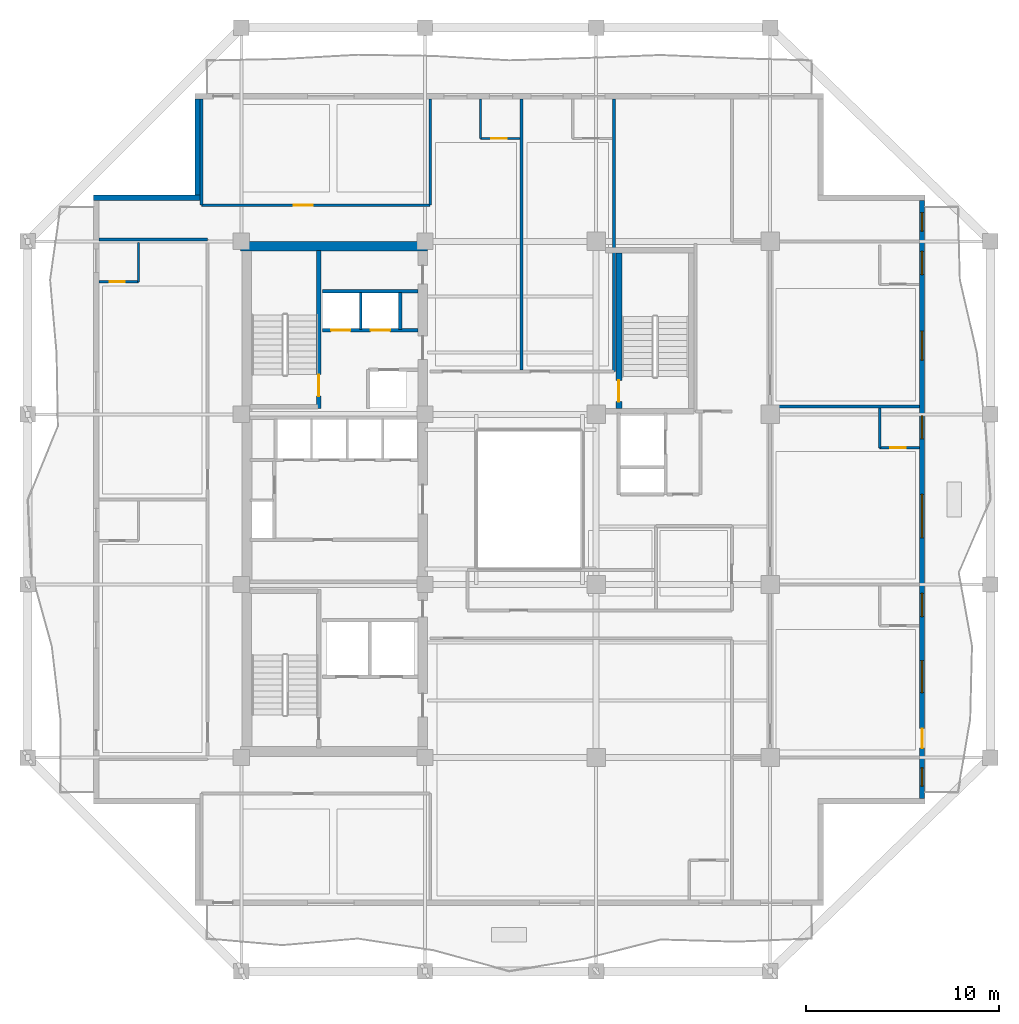
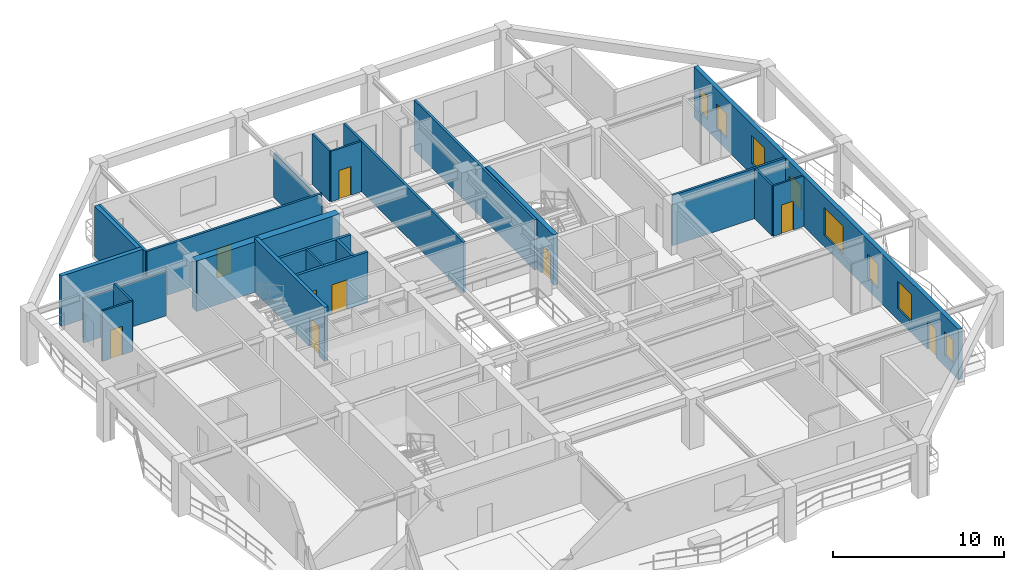
# One storey, part 5 of 12: 23 walls, 9 doors, 8 windows, 17 openings.
"""IFC4 building model written with IfcOpenShell, lengths in metres."""

from ifc_helpers import new_model, si_unit, direction, frame, frame_2d, origin, place, context, subcontext, project, spatial, rectangle, extrude, material, layer, layer_set, type_object, element, fill, save


model = new_model("IFC4")

# Units and contexts
model_context = context("Model", 3, precision=1e-05, world=origin(), true_north=direction((0.0, 1.0)))
body_context = subcontext(model_context, "Body", "Model", "MODEL_VIEW")
ifc_project = project(units=[si_unit("LENGTHUNIT", "METRE"), si_unit("AREAUNIT", "SQUARE_METRE"), si_unit("VOLUMEUNIT", "CUBIC_METRE"), si_unit("PLANEANGLEUNIT", "RADIAN"), si_unit("MASSUNIT", "GRAM", prefix="KILO")], contexts=[model_context])

# Site, building, storey
site_placement = place(None, origin())
site = spatial("IfcSite", under=ifc_project, at=site_placement, CompositionType="ELEMENT")
building_placement = place(site_placement, origin())
building = spatial("IfcBuilding", under=site, at=building_placement, Name="Kundavana Baori Tower", CompositionType="ELEMENT")
storey_placement = place(building_placement, frame((0.0, 0.0, 196.39990234375)))
storey = spatial("IfcBuildingStorey", under=building, at=storey_placement, Name="L48", CompositionType="ELEMENT", Elevation=196.39990234375)

# Wall, opening, door
ifc_material_1 = material(Name="Concrete C50/60", Category="concrete")
ifc_layer_1 = layer(ifc_material_1, 0.39990234375, Name="WL-CORE-400")
ifc_layer_set_1 = layer_set([ifc_layer_1], Name="Concrete C50/60")
wall_type_1 = type_object("IfcWallType", Name="WL-CORE-400", PredefinedType="SHEAR", material=ifc_layer_set_1)
wall_1_placement = place(storey_placement, frame((19.4599609375, 33.300048828125, 0.0), z_axis=(0.0, 0.0, 1.0), x_axis=(0.0, 1.0, 0.0)))
wall_1 = element("IfcWall", 1, at=wall_1_placement, inside=storey, type_object=wall_type_1, Name="WL-L48-ST2-E", PredefinedType="SHEAR", context=body_context, shape_type="SweptSolid", body=[
    extrude(rectangle(XDim=8.179931640625, YDim=0.239990234375, at=frame_2d((4.08984375, 0.0))), origin(), (0.0, 0.0, 1.0), 3.85009765625),
])
opening_1_placement = place(wall_1_placement, frame((0.64990234375, 0.0, 0.0)))
opening_1 = element("IfcOpeningElement", 2, at=opening_1_placement, cuts=wall_1, Name="Opening FD-110", PredefinedType="OPENING", context=body_context, shape_type="SweptSolid", body=[
    extrude(rectangle(XDim=1.10009765625, YDim=2.10009765625, at=frame_2d((0.550048828125, 1.050048828125))), frame((0.0, 0.1298828125, 0.0), z_axis=(0.0, -1.0, 0.0), x_axis=(1.0, 0.0, 0.0)), (0.0, 0.0, 1.0), 0.260009765625),
])
ifc_material_2 = material(Name="Galvanised Steel Fire-Rated Door Leaf", Category="steel")
door_type_1 = type_object("IfcDoorType", Name="DR-FD120-1100", OperationType="NOTDEFINED", PredefinedType="DOOR", material=ifc_material_2)
door_1_placement = place(opening_1_placement, origin())
door_1 = element("IfcDoor", 3, at=door_1_placement, inside=storey, type_object=door_type_1, Name="DR-L48-ST2", OperationType="SINGLE_SWING_RIGHT", OverallHeight=2.10009765625, OverallWidth=1.10009765625, PredefinedType="DOOR", context=body_context, shape_type="SweptSolid", body=[
    extrude(rectangle(XDim=1.10009765625, YDim=2.10009765625, at=frame_2d((0.550048828125, 1.050048828125))), frame((0.0, 0.02490234375, 0.0), z_axis=(0.0, -1.0, 0.0), x_axis=(1.0, 0.0, 0.0)), (0.0, 0.0, 1.0), 0.050048828125),
])
fill(opening_1, door_1)

# Wall
ifc_material_3 = material(Name="Concrete C50/60", Category="concrete")
ifc_layer_2 = layer(ifc_material_3, 0.5, Name="WL-CORE-500")
ifc_layer_set_2 = layer_set([ifc_layer_2], Name="Concrete C50/60")
wall_type_2 = type_object("IfcWallType", Name="WL-CORE-500", PredefinedType="SHEAR", material=ifc_layer_set_2)
wall_2_placement = place(storey_placement, frame((15.39990234375, 41.68994140625, 0.0), z_axis=(0.0, 0.0, 1.0), x_axis=(1.0, 0.0, 0.0)))
element("IfcWall", 4, at=wall_2_placement, inside=storey, type_object=wall_type_2, Name="L48 Offset Core North Shear Wall", PredefinedType="SHEAR", context=body_context, shape_type="SweptSolid", body=[
    extrude(rectangle(XDim=9.68017578125, YDim=0.5, at=frame_2d((4.840087890625, 0.0))), origin(), (0.0, 0.0, 1.0), 3.60009765625),
])

# Wall, openings, door, windows
ifc_material_4 = material(Name="Red-Buff Dholpur Sandstone Cladding on Concrete C40/50", Category="masonry")
ifc_layer_3 = layer(ifc_material_4, 0.280029296875, Name="WL-EXT-SAND-280")
ifc_layer_set_3 = layer_set([ifc_layer_3], Name="Red-Buff Dholpur Sandstone Cladding on Concrete C40/50")
wall_type_3 = type_object("IfcWallType", Name="WL-EXT-SAND-280", PredefinedType="STANDARD", material=ifc_layer_set_3)
wall_3_placement = place(storey_placement, frame((50.659912109375, 13.1298828125, 0.0), z_axis=(0.0, 0.0, 1.0), x_axis=(0.0, 1.0, 0.0)))
wall_3 = element("IfcWall", 5, at=wall_3_placement, inside=storey, type_object=wall_type_3, Name="L48 Exterior Insulated Facade Wall 04", PredefinedType="STANDARD", context=body_context, shape_type="SweptSolid", body=[
    extrude(rectangle(XDim=30.940185546875, YDim=0.280029296875, at=frame_2d((15.47021484375, 0.0))), origin(), (0.0, 0.0, 1.0), 3.60009765625),
])
opening_2_placement = place(wall_3_placement, frame((0.639892578125, 0.0, 0.800048828125)))
opening_2 = element("IfcOpeningElement", 6, at=opening_2_placement, cuts=wall_3, Name="Opening W-13", PredefinedType="OPENING", context=body_context, shape_type="SweptSolid", body=[
    extrude(rectangle(XDim=0.949951171875, YDim=1.64990234375, at=frame_2d((0.47509765625, 0.824951171875))), frame((0.0, 0.14990234375, 0.0), z_axis=(0.0, -1.0, 0.0), x_axis=(1.0, 0.0, 0.0)), (0.0, 0.0, 1.0), 0.300048828125),
])
opening_3_placement = place(wall_3_placement, frame((2.610107421875, 0.0, 0.0)))
opening_3 = element("IfcOpeningElement", 7, at=opening_3_placement, cuts=wall_3, Name="Opening BD-1", PredefinedType="OPENING", context=body_context, shape_type="SweptSolid", body=[
    extrude(rectangle(XDim=1.0, YDim=2.050048828125, at=frame_2d((0.5, 1.02490234375))), frame((0.0, 0.14990234375, 0.0), z_axis=(0.0, -1.0, 0.0), x_axis=(1.0, 0.0, 0.0)), (0.0, 0.0, 1.0), 0.300048828125),
])
opening_4_placement = place(wall_3_placement, frame((5.47998046875, 0.0, 0.800048828125)))
opening_4 = element("IfcOpeningElement", 8, at=opening_4_placement, cuts=wall_3, Name="Opening W-08", PredefinedType="OPENING", context=body_context, shape_type="SweptSolid", body=[
    extrude(rectangle(XDim=1.64990234375, YDim=1.949951171875, at=frame_2d((0.824951171875, 0.97509765625))), frame((0.0, 0.14990234375, 0.0), z_axis=(0.0, -1.0, 0.0), x_axis=(1.0, 0.0, 0.0)), (0.0, 0.0, 1.0), 0.300048828125),
])
opening_5_placement = place(wall_3_placement, frame((9.405029296875, 0.0, 0.800048828125)))
opening_5 = element("IfcOpeningElement", 9, at=opening_5_placement, cuts=wall_3, Name="Opening W-03", PredefinedType="OPENING", context=body_context, shape_type="SweptSolid", body=[
    extrude(rectangle(XDim=1.199951171875, YDim=1.75, at=frame_2d((0.60009765625, 0.875))), frame((0.0, 0.14990234375, 0.0), z_axis=(0.0, -1.0, 0.0), x_axis=(1.0, 0.0, 0.0)), (0.0, 0.0, 1.0), 0.300048828125),
])
opening_6_placement = place(wall_3_placement, frame((13.47998046875, 0.0, 0.800048828125)))
opening_6 = element("IfcOpeningElement", 10, at=opening_6_placement, cuts=wall_3, Name="Opening W-10", PredefinedType="OPENING", context=body_context, shape_type="SweptSolid", body=[
    extrude(rectangle(XDim=2.25, YDim=2.0, at=frame_2d((1.125, 1.0))), frame((0.0, 0.14990234375, 0.0), z_axis=(0.0, -1.0, 0.0), x_axis=(1.0, 0.0, 0.0)), (0.0, 0.0, 1.0), 0.300048828125),
])
opening_7_placement = place(wall_3_placement, frame((18.60498046875, 0.0, 0.800048828125)))
opening_7 = element("IfcOpeningElement", 11, at=opening_7_placement, cuts=wall_3, Name="Opening W-03", PredefinedType="OPENING", context=body_context, shape_type="SweptSolid", body=[
    extrude(rectangle(XDim=1.199951171875, YDim=1.75, at=frame_2d((0.60009765625, 0.875))), frame((0.0, 0.14990234375, 0.0), z_axis=(0.0, -1.0, 0.0), x_axis=(1.0, 0.0, 0.0)), (0.0, 0.0, 1.0), 0.300048828125),
])
opening_8_placement = place(wall_3_placement, frame((22.679931640625, 0.0, 0.800048828125)))
opening_8 = element("IfcOpeningElement", 12, at=opening_8_placement, cuts=wall_3, Name="Opening W-02", PredefinedType="OPENING", context=body_context, shape_type="SweptSolid", body=[
    extrude(rectangle(XDim=1.5, YDim=2.0, at=frame_2d((0.75, 1.0))), frame((0.0, 0.14990234375, 0.0), z_axis=(0.0, -1.0, 0.0), x_axis=(1.0, 0.0, 0.0)), (0.0, 0.0, 1.0), 0.300048828125),
])
opening_9_placement = place(wall_3_placement, frame((27.10498046875, 0.0, 0.800048828125)))
opening_9 = element("IfcOpeningElement", 13, at=opening_9_placement, cuts=wall_3, Name="Opening W-03", PredefinedType="OPENING", context=body_context, shape_type="SweptSolid", body=[
    extrude(rectangle(XDim=1.199951171875, YDim=1.75, at=frame_2d((0.60009765625, 0.875))), frame((0.0, 0.14990234375, 0.0), z_axis=(0.0, -1.0, 0.0), x_axis=(1.0, 0.0, 0.0)), (0.0, 0.0, 1.0), 0.300048828125),
])
opening_10_placement = place(wall_3_placement, frame((29.35009765625, 0.0, 0.800048828125)))
opening_10 = element("IfcOpeningElement", 14, at=opening_10_placement, cuts=wall_3, Name="Opening W-13", PredefinedType="OPENING", context=body_context, shape_type="SweptSolid", body=[
    extrude(rectangle(XDim=0.949951171875, YDim=1.64990234375, at=frame_2d((0.47509765625, 0.824951171875))), frame((0.0, 0.14990234375, 0.0), z_axis=(0.0, -1.0, 0.0), x_axis=(1.0, 0.0, 0.0)), (0.0, 0.0, 1.0), 0.300048828125),
])
ifc_material_5 = material(Name="Architectural Patinated Bronze Metalwork")
door_type_2 = type_object("IfcDoorType", Name="DR-EXT-LOG-1000", OperationType="NOTDEFINED", PredefinedType="DOOR", material=ifc_material_5)
door_2_placement = place(opening_3_placement, frame((1.0, 0.0, 0.0), z_axis=(0.0, 0.0, 1.0), x_axis=(-1.0, 0.0, 0.0)))
door_2 = element("IfcDoor", 15, at=door_2_placement, inside=storey, type_object=door_type_2, Name="L48 Loggia Balcony Access Door E", OperationType="SINGLE_SWING_LEFT", OverallHeight=2.050048828125, OverallWidth=1.0, PredefinedType="DOOR", context=body_context, shape_type="SweptSolid", body=[
    extrude(rectangle(XDim=1.0, YDim=2.050048828125, at=frame_2d((0.5, 1.02490234375))), frame((0.0, 0.02490234375, 0.0), z_axis=(0.0, -1.0, 0.0), x_axis=(1.0, 0.0, 0.0)), (0.0, 0.0, 1.0), 0.050048828125),
])
fill(opening_3, door_2)
ifc_material_6 = material(Name="Double-Glazed Solar-Control Low-E Insulated Glass", Category="glass")
window_type_1 = type_object("IfcWindowType", Name="WIN-LOG-1200x1750", PartitioningType="SINGLE_PANEL", PredefinedType="WINDOW", material=ifc_material_6)
window_1_placement = place(opening_5_placement, origin())
window_1 = element("IfcWindow", 16, at=window_1_placement, inside=storey, type_object=window_type_1, Name="L48 Recessed Loggia Window E-3", OverallHeight=1.75, OverallWidth=1.199951171875, PartitioningType="SINGLE_PANEL", PredefinedType="WINDOW", context=body_context, shape_type="SweptSolid", body=[
    extrude(rectangle(XDim=1.199951171875, YDim=1.75, at=frame_2d((0.60009765625, 0.875))), frame((0.0, 0.030029296875, 0.0), z_axis=(0.0, -1.0, 0.0), x_axis=(1.0, 0.0, 0.0)), (0.0, 0.0, 1.0), 0.06005859375),
])
fill(opening_5, window_1)
window_2_placement = place(opening_7_placement, origin())
window_2 = element("IfcWindow", 17, at=window_2_placement, inside=storey, type_object=window_type_1, Name="L48 Recessed Loggia Window E-5", OverallHeight=1.75, OverallWidth=1.199951171875, PartitioningType="SINGLE_PANEL", PredefinedType="WINDOW", context=body_context, shape_type="SweptSolid", body=[
    extrude(rectangle(XDim=1.199951171875, YDim=1.75, at=frame_2d((0.60009765625, 0.875))), frame((0.0, 0.030029296875, 0.0), z_axis=(0.0, -1.0, 0.0), x_axis=(1.0, 0.0, 0.0)), (0.0, 0.0, 1.0), 0.06005859375),
])
fill(opening_7, window_2)
window_3_placement = place(opening_9_placement, origin())
window_3 = element("IfcWindow", 18, at=window_3_placement, inside=storey, type_object=window_type_1, Name="L48 Recessed Loggia Window E-7", OverallHeight=1.75, OverallWidth=1.199951171875, PartitioningType="SINGLE_PANEL", PredefinedType="WINDOW", context=body_context, shape_type="SweptSolid", body=[
    extrude(rectangle(XDim=1.199951171875, YDim=1.75, at=frame_2d((0.60009765625, 0.875))), frame((0.0, 0.030029296875, 0.0), z_axis=(0.0, -1.0, 0.0), x_axis=(1.0, 0.0, 0.0)), (0.0, 0.0, 1.0), 0.06005859375),
])
fill(opening_9, window_3)
ifc_material_7 = material(Name="Double-Glazed Solar-Control Low-E Insulated Glass", Category="glass")
window_type_2 = type_object("IfcWindowType", Name="WIN-LOG-1500x2000", PartitioningType="SINGLE_PANEL", PredefinedType="WINDOW", material=ifc_material_7)
window_4_placement = place(opening_8_placement, origin())
window_4 = element("IfcWindow", 19, at=window_4_placement, inside=storey, type_object=window_type_2, Name="L48 Recessed Loggia Window E-6", OverallHeight=2.0, OverallWidth=1.5, PartitioningType="SINGLE_PANEL", PredefinedType="WINDOW", context=body_context, shape_type="SweptSolid", body=[
    extrude(rectangle(XDim=1.5, YDim=2.0, at=frame_2d((0.75, 1.0))), frame((0.0, 0.030029296875, 0.0), z_axis=(0.0, -1.0, 0.0), x_axis=(1.0, 0.0, 0.0)), (0.0, 0.0, 1.0), 0.06005859375),
])
fill(opening_8, window_4)
ifc_material_8 = material(Name="Double-Glazed Solar-Control Low-E Insulated Glass", Category="glass")
window_type_3 = type_object("IfcWindowType", Name="WIN-LOG-1650x1950", PartitioningType="SINGLE_PANEL", PredefinedType="WINDOW", material=ifc_material_8)
window_5_placement = place(opening_4_placement, origin())
window_5 = element("IfcWindow", 20, at=window_5_placement, inside=storey, type_object=window_type_3, Name="L48 Recessed Loggia Window E-2", OverallHeight=1.949951171875, OverallWidth=1.64990234375, PartitioningType="SINGLE_PANEL", PredefinedType="WINDOW", context=body_context, shape_type="SweptSolid", body=[
    extrude(rectangle(XDim=1.64990234375, YDim=1.949951171875, at=frame_2d((0.824951171875, 0.97509765625))), frame((0.0, 0.030029296875, 0.0), z_axis=(0.0, -1.0, 0.0), x_axis=(1.0, 0.0, 0.0)), (0.0, 0.0, 1.0), 0.06005859375),
])
fill(opening_4, window_5)
ifc_material_9 = material(Name="Double-Glazed Solar-Control Low-E Insulated Glass", Category="glass")
window_type_4 = type_object("IfcWindowType", Name="WIN-LOG-2250x2000", PartitioningType="SINGLE_PANEL", PredefinedType="WINDOW", material=ifc_material_9)
window_6_placement = place(opening_6_placement, origin())
window_6 = element("IfcWindow", 21, at=window_6_placement, inside=storey, type_object=window_type_4, Name="L48 Recessed Loggia Window E-4", OverallHeight=2.0, OverallWidth=2.25, PartitioningType="SINGLE_PANEL", PredefinedType="WINDOW", context=body_context, shape_type="SweptSolid", body=[
    extrude(rectangle(XDim=2.25, YDim=2.0, at=frame_2d((1.125, 1.0))), frame((0.0, 0.030029296875, 0.0), z_axis=(0.0, -1.0, 0.0), x_axis=(1.0, 0.0, 0.0)), (0.0, 0.0, 1.0), 0.06005859375),
])
fill(opening_6, window_6)
ifc_material_10 = material(Name="Double-Glazed Solar-Control Low-E Insulated Glass", Category="glass")
window_type_5 = type_object("IfcWindowType", Name="WIN-LOG-950x1650", PartitioningType="SINGLE_PANEL", PredefinedType="WINDOW", material=ifc_material_10)
window_7_placement = place(opening_2_placement, origin())
window_7 = element("IfcWindow", 22, at=window_7_placement, inside=storey, type_object=window_type_5, Name="L48 Recessed Loggia Window E-1", OverallHeight=1.64990234375, OverallWidth=0.949951171875, PartitioningType="SINGLE_PANEL", PredefinedType="WINDOW", context=body_context, shape_type="SweptSolid", body=[
    extrude(rectangle(XDim=0.949951171875, YDim=1.64990234375, at=frame_2d((0.47509765625, 0.824951171875))), frame((0.0, 0.030029296875, 0.0), z_axis=(0.0, -1.0, 0.0), x_axis=(1.0, 0.0, 0.0)), (0.0, 0.0, 1.0), 0.06005859375),
])
fill(opening_2, window_7)
window_8_placement = place(opening_10_placement, origin())
window_8 = element("IfcWindow", 23, at=window_8_placement, inside=storey, type_object=window_type_5, Name="L48 Recessed Loggia Window E-8", OverallHeight=1.64990234375, OverallWidth=0.949951171875, PartitioningType="SINGLE_PANEL", PredefinedType="WINDOW", context=body_context, shape_type="SweptSolid", body=[
    extrude(rectangle(XDim=0.949951171875, YDim=1.64990234375, at=frame_2d((0.47509765625, 0.824951171875))), frame((0.0, 0.030029296875, 0.0), z_axis=(0.0, -1.0, 0.0), x_axis=(1.0, 0.0, 0.0)), (0.0, 0.0, 1.0), 0.06005859375),
])
fill(opening_10, window_8)

# Walls
wall_4_placement = place(storey_placement, frame((13.18994140625, 49.320068359375, 0.0), z_axis=(0.0, 0.0, 1.0), x_axis=(0.0, -1.0, 0.0)))
element("IfcWall", 24, at=wall_4_placement, inside=storey, type_object=wall_type_3, Name="L48 Exterior Insulated Facade Wall 08", PredefinedType="STANDARD", context=body_context, shape_type="SweptSolid", body=[
    extrude(rectangle(XDim=4.969970703125, YDim=0.280029296875, at=frame_2d((2.48486328125, 0.0))), origin(), (0.0, 0.0, 1.0), 3.60009765625),
])
wall_5_placement = place(storey_placement, frame((13.330078125, 44.2099609375, 0.0), z_axis=(0.0, 0.0, 1.0), x_axis=(-1.0, 0.0, 0.0)))
element("IfcWall", 25, at=wall_5_placement, inside=storey, type_object=wall_type_3, Name="L48 Exterior Insulated Facade Wall 09", PredefinedType="STANDARD", context=body_context, shape_type="SweptSolid", body=[
    extrude(rectangle(XDim=5.530029296875, YDim=0.280029296875, at=frame_2d((2.76513671875, 0.0))), origin(), (0.0, 0.0, 1.0), 3.60009765625),
])
ifc_material_11 = material(Name="Acoustic Gypsum Plasterboard on Galvanised Steel Studs", Category="steel")
ifc_layer_4 = layer(ifc_material_11, 0.1201171875, Name="WL-PART-120")
ifc_layer_set_4 = layer_set([ifc_layer_4], Name="Acoustic Gypsum Plasterboard on Galvanised Steel Studs")
wall_type_4 = type_object("IfcWallType", Name="WL-PART-120", PredefinedType="PARTITIONING", material=ifc_layer_set_4)
wall_6_placement = place(storey_placement, frame((21.6201171875, 37.39990234375, 0.0), z_axis=(0.0, 0.0, 1.0), x_axis=(0.0, 1.0, 0.0)))
element("IfcWall", 26, at=wall_6_placement, inside=storey, type_object=wall_type_4, Name="WL-L48-HR-DIV1", PredefinedType="PARTITIONING", context=body_context, shape_type="SweptSolid", body=[
    extrude(rectangle(XDim=1.900146484375, YDim=0.1201171875, at=frame_2d((0.9501953125, 0.0))), origin(), (0.0, 0.0, 1.0), 3.60009765625),
])
ifc_material_12 = material(Name="Fire-Rated Gypsum Drywall on Galvanised Steel Studs", Category="steel")
ifc_layer_5 = layer(ifc_material_12, 0.14990234375, Name="WL-PART-150")
ifc_layer_set_5 = layer_set([ifc_layer_5], Name="Fire-Rated Gypsum Drywall on Galvanised Steel Studs")
wall_type_5 = type_object("IfcWallType", Name="WL-PART-150", PredefinedType="PARTITIONING", material=ifc_layer_set_5)
wall_7_placement = place(storey_placement, frame((8.080078125, 42.0400390625, 0.0), z_axis=(0.0, 0.0, 1.0), x_axis=(1.0, 0.0, 0.0)))
element("IfcWall", 27, at=wall_7_placement, inside=storey, type_object=wall_type_5, Name="WL-L48-HWN", PredefinedType="PARTITIONING", context=body_context, shape_type="SweptSolid", body=[
    extrude(rectangle(XDim=5.619873046875, YDim=0.14990234375, at=frame_2d((2.81005859375, 0.0))), origin(), (0.0, 0.0, 1.0), 3.150146484375),
])

# Wall, opening, door
wall_8_placement = place(storey_placement, frame((13.389892578125, 43.820068359375, 0.0), z_axis=(0.0, 0.0, 1.0), x_axis=(1.0, 0.0, 0.0)))
wall_8 = element("IfcWall", 28, at=wall_8_placement, inside=storey, type_object=wall_type_5, Name="WL-L48-HNC", PredefinedType="PARTITIONING", context=body_context, shape_type="SweptSolid", body=[
    extrude(rectangle(XDim=11.830078125, YDim=0.14990234375, at=frame_2d((5.9150390625, 0.0))), origin(), (0.0, 0.0, 1.0), 3.60009765625),
])
opening_11_placement = place(wall_8_placement, frame((4.760009765625, 0.0, 0.0)))
opening_11 = element("IfcOpeningElement", 29, at=opening_11_placement, cuts=wall_8, Name="Opening ID-100", PredefinedType="OPENING", context=body_context, shape_type="SweptSolid", body=[
    extrude(rectangle(XDim=1.0, YDim=2.080078125, at=frame_2d((0.5, 1.0400390625))), frame((0.0, 0.0849609375, 0.0), z_axis=(0.0, -1.0, 0.0), x_axis=(1.0, 0.0, 0.0)), (0.0, 0.0, 1.0), 0.169921875),
])
ifc_material_13 = material(Name="Engineered Teak Solid-Core Timber Veneer", Category="wood")
door_type_3 = type_object("IfcDoorType", Name="DR-INT-1000", OperationType="NOTDEFINED", PredefinedType="DOOR", material=ifc_material_13)
door_3_placement = place(opening_11_placement, origin())
door_3 = element("IfcDoor", 30, at=door_3_placement, inside=storey, type_object=door_type_3, Name="DR-L48-HMNW", OperationType="SINGLE_SWING_RIGHT", OverallHeight=2.080078125, OverallWidth=1.0, PredefinedType="DOOR", context=body_context, shape_type="SweptSolid", body=[
    extrude(rectangle(XDim=1.0, YDim=2.080078125, at=frame_2d((0.5, 1.0400390625))), frame((0.0, 0.02490234375, 0.0), z_axis=(0.0, -1.0, 0.0), x_axis=(1.0, 0.0, 0.0)), (0.0, 0.0, 1.0), 0.050048828125),
])
fill(opening_11, door_3)

# Walls
wall_9_placement = place(storey_placement, frame((13.389892578125, 43.820068359375, 0.0), z_axis=(0.0, 0.0, 1.0), x_axis=(0.0, 1.0, 0.0)))
element("IfcWall", 31, at=wall_9_placement, inside=storey, type_object=wall_type_5, Name="WL-L48-HNCW", PredefinedType="PARTITIONING", context=body_context, shape_type="SweptSolid", body=[
    extrude(rectangle(XDim=5.5, YDim=0.14990234375, at=frame_2d((2.75, 0.0))), origin(), (0.0, 0.0, 1.0), 3.60009765625),
])
wall_10_placement = place(storey_placement, frame((25.219970703125, 43.820068359375, 0.0), z_axis=(0.0, 0.0, 1.0), x_axis=(0.0, 1.0, 0.0)))
element("IfcWall", 32, at=wall_10_placement, inside=storey, type_object=wall_type_5, Name="WL-L48-HNCE", PredefinedType="PARTITIONING", context=body_context, shape_type="SweptSolid", body=[
    extrude(rectangle(XDim=5.5, YDim=0.14990234375, at=frame_2d((2.75, 0.0))), origin(), (0.0, 0.0, 1.0), 3.150146484375),
])
wall_11_placement = place(storey_placement, frame((42.8798828125, 33.39990234375, 0.0), z_axis=(0.0, 0.0, 1.0), x_axis=(1.0, 0.0, 0.0)))
element("IfcWall", 33, at=wall_11_placement, inside=storey, type_object=wall_type_5, Name="WL-L48-HED2", PredefinedType="PARTITIONING", context=body_context, shape_type="SweptSolid", body=[
    extrude(rectangle(XDim=7.64013671875, YDim=0.14990234375, at=frame_2d((3.820068359375, 0.0))), origin(), (0.0, 0.0, 1.0), 3.60009765625),
])
wall_12_placement = place(storey_placement, frame((34.719970703125, 35.219970703125, 0.0), z_axis=(0.0, 0.0, 1.0), x_axis=(0.0, 1.0, 0.0)))
element("IfcWall", 34, at=wall_12_placement, inside=storey, type_object=wall_type_5, Name="WL-L48-HNEND", PredefinedType="PARTITIONING", context=body_context, shape_type="SweptSolid", body=[
    extrude(rectangle(XDim=14.10009765625, YDim=0.14990234375, at=frame_2d((7.050048828125, 0.0))), origin(), (0.0, 0.0, 1.0), 3.60009765625),
])
wall_13_placement = place(storey_placement, frame((29.949951171875, 35.300048828125, 0.0), z_axis=(0.0, 0.0, 1.0), x_axis=(0.0, 1.0, 0.0)))
element("IfcWall", 35, at=wall_13_placement, inside=storey, type_object=wall_type_5, Name="WL-L48-HND1", PredefinedType="PARTITIONING", context=body_context, shape_type="SweptSolid", body=[
    extrude(rectangle(XDim=14.02001953125, YDim=0.14990234375, at=frame_2d((7.010009765625, 0.0))), origin(), (0.0, 0.0, 1.0), 3.60009765625),
])

# Wall, openings, doors
ifc_material_14 = material(Name="Autoclaved Aerated Concrete Blockwork Masonry", Category="masonry")
ifc_layer_6 = layer(ifc_material_14, 0.179931640625, Name="WL-SHAFT-180")
ifc_layer_set_6 = layer_set([ifc_layer_6], Name="Autoclaved Aerated Concrete Blockwork Masonry")
wall_type_6 = type_object("IfcWallType", Name="WL-SHAFT-180", PredefinedType="SOLIDWALL", material=ifc_layer_set_6)
wall_14_placement = place(storey_placement, frame((19.639892578125, 37.340087890625, 0.0), z_axis=(0.0, 0.0, 1.0), x_axis=(1.0, 0.0, 0.0)))
wall_14 = element("IfcWall", 36, at=wall_14_placement, inside=storey, type_object=wall_type_6, Name="WL-L48-HRLOB-N", PredefinedType="SOLIDWALL", context=body_context, shape_type="SweptSolid", body=[
    extrude(rectangle(XDim=4.940185546875, YDim=0.179931640625, at=frame_2d((2.47021484375, 0.0))), origin(), (0.0, 0.0, 1.0), 3.60009765625),
])
opening_12_placement = place(wall_14_placement, frame((0.449951171875, 0.0, 0.0)))
opening_12 = element("IfcOpeningElement", 37, at=opening_12_placement, cuts=wall_14, Name="Opening LD-100", PredefinedType="OPENING", context=body_context, shape_type="SweptSolid", body=[
    extrude(rectangle(XDim=1.0, YDim=2.10009765625, at=frame_2d((0.5, 1.050048828125))), frame((0.0, 0.10009765625, 0.0), z_axis=(0.0, -1.0, 0.0), x_axis=(1.0, 0.0, 0.0)), (0.0, 0.0, 1.0), 0.199951171875),
])
opening_13_placement = place(wall_14_placement, frame((2.5, 0.0, 0.0)))
opening_13 = element("IfcOpeningElement", 38, at=opening_13_placement, cuts=wall_14, Name="Opening LD-100", PredefinedType="OPENING", context=body_context, shape_type="SweptSolid", body=[
    extrude(rectangle(XDim=1.0, YDim=2.10009765625, at=frame_2d((0.5, 1.050048828125))), frame((0.0, 0.10009765625, 0.0), z_axis=(0.0, -1.0, 0.0), x_axis=(1.0, 0.0, 0.0)), (0.0, 0.0, 1.0), 0.199951171875),
])
ifc_material_15 = material(Name="Galvanised Steel Fire-Rated Door Leaf", Category="steel")
door_type_4 = type_object("IfcDoorType", Name="DR-SLIDE-LD1000", OperationType="NOTDEFINED", PredefinedType="DOOR", material=ifc_material_15)
door_4_placement = place(opening_12_placement, frame((1.0, 0.0, 0.0), z_axis=(0.0, 0.0, 1.0), x_axis=(-1.0, 0.0, 0.0)))
door_4 = element("IfcDoor", 39, at=door_4_placement, inside=storey, type_object=door_type_4, Name="DR-L48-LD-LP09", OperationType="DOUBLE_DOOR_SLIDING", OverallHeight=2.10009765625, OverallWidth=1.0, PredefinedType="DOOR", context=body_context, shape_type="SweptSolid", body=[
    extrude(rectangle(XDim=1.0, YDim=2.10009765625, at=frame_2d((0.5, 1.050048828125))), frame((0.0, 0.02490234375, 0.0), z_axis=(0.0, -1.0, 0.0), x_axis=(1.0, 0.0, 0.0)), (0.0, 0.0, 1.0), 0.050048828125),
])
fill(opening_12, door_4)
door_5_placement = place(opening_13_placement, frame((1.0, 0.0, 0.0), z_axis=(0.0, 0.0, 1.0), x_axis=(-1.0, 0.0, 0.0)))
door_5 = element("IfcDoor", 40, at=door_5_placement, inside=storey, type_object=door_type_4, Name="DR-L48-LD-LP10", OperationType="DOUBLE_DOOR_SLIDING", OverallHeight=2.10009765625, OverallWidth=1.0, PredefinedType="DOOR", context=body_context, shape_type="SweptSolid", body=[
    extrude(rectangle(XDim=1.0, YDim=2.10009765625, at=frame_2d((0.5, 1.050048828125))), frame((0.0, 0.02490234375, 0.0), z_axis=(0.0, -1.0, 0.0), x_axis=(1.0, 0.0, 0.0)), (0.0, 0.0, 1.0), 0.050048828125),
])
fill(opening_13, door_5)

# Walls
wall_15_placement = place(storey_placement, frame((19.639892578125, 39.360107421875, 0.0), z_axis=(0.0, 0.0, 1.0), x_axis=(1.0, 0.0, 0.0)))
element("IfcWall", 41, at=wall_15_placement, inside=storey, type_object=wall_type_6, Name="WL-L48-HRLOB-TOP", PredefinedType="SOLIDWALL", context=body_context, shape_type="SweptSolid", body=[
    extrude(rectangle(XDim=4.940185546875, YDim=0.179931640625, at=frame_2d((2.47021484375, 0.0))), origin(), (0.0, 0.0, 1.0), 3.60009765625),
])
wall_16_placement = place(storey_placement, frame((23.659912109375, 37.39990234375, 0.0), z_axis=(0.0, 0.0, 1.0), x_axis=(0.0, 1.0, 0.0)))
element("IfcWall", 42, at=wall_16_placement, inside=storey, type_object=wall_type_6, Name="WL-L48-HR-DIV2", PredefinedType="SOLIDWALL", context=body_context, shape_type="SweptSolid", body=[
    extrude(rectangle(XDim=1.900146484375, YDim=0.179931640625, at=frame_2d((0.9501953125, 0.0))), origin(), (0.0, 0.0, 1.0), 3.60009765625),
])

# Wall, opening, door
ifc_material_16 = material(Name="Concrete C50/60", Category="concrete")
ifc_layer_7 = layer(ifc_material_16, 0.300048828125, Name="WL-ST3-300")
ifc_layer_set_7 = layer_set([ifc_layer_7], Name="Concrete C50/60")
wall_type_7 = type_object("IfcWallType", Name="WL-ST3-300", PredefinedType="SHEAR", material=ifc_layer_set_7)
wall_17_placement = place(storey_placement, frame((34.97998046875, 33.31005859375, 0.0), z_axis=(0.0, 0.0, 1.0), x_axis=(0.0, 1.0, 0.0)))
wall_17 = element("IfcWall", 43, at=wall_17_placement, inside=storey, type_object=wall_type_7, Name="L48 Stair ST3 West Shear Wall", PredefinedType="SHEAR", context=body_context, shape_type="SweptSolid", body=[
    extrude(rectangle(XDim=8.030029296875, YDim=0.300048828125, at=frame_2d((4.01513671875, 0.0))), origin(), (0.0, 0.0, 1.0), 3.60009765625),
])
opening_14_placement = place(wall_17_placement, frame((0.35009765625, 0.0, 0.0)))
opening_14 = element("IfcOpeningElement", 44, at=opening_14_placement, cuts=wall_17, Name="Opening FD-110", PredefinedType="OPENING", context=body_context, shape_type="SweptSolid", body=[
    extrude(rectangle(XDim=1.10009765625, YDim=2.10009765625, at=frame_2d((0.550048828125, 1.050048828125))), frame((0.0, 0.16015625, 0.0), z_axis=(0.0, -1.0, 0.0), x_axis=(1.0, 0.0, 0.0)), (0.0, 0.0, 1.0), 0.320068359375),
])
door_6_placement = place(opening_14_placement, origin())
door_6 = element("IfcDoor", 45, at=door_6_placement, inside=storey, type_object=door_type_1, Name="DR-L48-ST3-W", OperationType="SINGLE_SWING_LEFT", OverallHeight=2.10009765625, OverallWidth=1.10009765625, PredefinedType="DOOR", context=body_context, shape_type="SweptSolid", body=[
    extrude(rectangle(XDim=1.10009765625, YDim=2.10009765625, at=frame_2d((0.550048828125, 1.050048828125))), frame((0.0, 0.02490234375, 0.0), z_axis=(0.0, -1.0, 0.0), x_axis=(1.0, 0.0, 0.0)), (0.0, 0.0, 1.0), 0.050048828125),
])
fill(opening_14, door_6)

# Wall
ifc_material_17 = material(Name="Autoclaved Aerated Concrete Blockwork Masonry", Category="masonry")
ifc_layer_8 = layer(ifc_material_17, 0.125, Name="WL-WET-120")
ifc_layer_set_8 = layer_set([ifc_layer_8], Name="Autoclaved Aerated Concrete Blockwork Masonry")
wall_type_8 = type_object("IfcWallType", Name="WL-WET-120", PredefinedType="PLUMBINGWALL", material=ifc_layer_set_8)
wall_18_placement = place(storey_placement, frame((10.1298828125, 39.85009765625, 0.0), z_axis=(0.0, 0.0, 1.0), x_axis=(0.0, 1.0, 0.0)))
element("IfcWall", 46, at=wall_18_placement, inside=storey, type_object=wall_type_8, Name="WL-L48-HK-W2-BE", PredefinedType="PLUMBINGWALL", context=body_context, shape_type="SweptSolid", body=[
    extrude(rectangle(XDim=2.0498046875, YDim=0.125, at=frame_2d((1.02490234375, 0.0))), origin(), (0.0, 0.0, 1.0), 3.60009765625),
])

# Wall, opening, door
wall_19_placement = place(storey_placement, frame((8.080078125, 39.85009765625, 0.0), z_axis=(0.0, 0.0, 1.0), x_axis=(1.0, 0.0, 0.0)))
wall_19 = element("IfcWall", 47, at=wall_19_placement, inside=storey, type_object=wall_type_8, Name="WL-L48-HK-W2-BS", PredefinedType="PLUMBINGWALL", context=body_context, shape_type="SweptSolid", body=[
    extrude(rectangle(XDim=2.0498046875, YDim=0.125, at=frame_2d((1.02490234375, 0.0))), origin(), (0.0, 0.0, 1.0), 3.60009765625),
])
opening_15_placement = place(wall_19_placement, frame((0.550048828125, 0.0, 0.0)))
opening_15 = element("IfcOpeningElement", 48, at=opening_15_placement, cuts=wall_19, Name="Opening WD-080", PredefinedType="OPENING", context=body_context, shape_type="SweptSolid", body=[
    extrude(rectangle(XDim=0.800048828125, YDim=2.050048828125, at=frame_2d((0.39990234375, 1.02490234375))), frame((0.0, 0.072509765625, 0.0), z_axis=(0.0, -1.0, 0.0), x_axis=(1.0, 0.0, 0.0)), (0.0, 0.0, 1.0), 0.14501953125),
])
ifc_material_18 = material(Name="Engineered Teak Solid-Core Timber Veneer", Category="wood")
door_type_5 = type_object("IfcDoorType", Name="DR-WET-800", OperationType="NOTDEFINED", PredefinedType="DOOR", material=ifc_material_18)
door_7_placement = place(opening_15_placement, frame((0.800048828125, 0.0, 0.0), z_axis=(0.0, 0.0, 1.0), x_axis=(-1.0, 0.0, 0.0)))
door_7 = element("IfcDoor", 49, at=door_7_placement, inside=storey, type_object=door_type_5, Name="DR-L48-HK-W2-ENS", OperationType="SINGLE_SWING_LEFT", OverallHeight=2.050048828125, OverallWidth=0.800048828125, PredefinedType="DOOR", context=body_context, shape_type="SweptSolid", body=[
    extrude(rectangle(XDim=0.800048828125, YDim=2.050048828125, at=frame_2d((0.39990234375, 1.02490234375))), frame((0.0, 0.02490234375, 0.0), z_axis=(0.0, -1.0, 0.0), x_axis=(1.0, 0.0, 0.0)), (0.0, 0.0, 1.0), 0.050048828125),
])
fill(opening_15, door_7)

# Wall
wall_20_placement = place(storey_placement, frame((48.469970703125, 31.27001953125, 0.0), z_axis=(0.0, 0.0, 1.0), x_axis=(0.0, 1.0, 0.0)))
element("IfcWall", 50, at=wall_20_placement, inside=storey, type_object=wall_type_8, Name="WL-L48-HK-E2-BW", PredefinedType="PLUMBINGWALL", context=body_context, shape_type="SweptSolid", body=[
    extrude(rectangle(XDim=2.050048828125, YDim=0.125, at=frame_2d((1.02490234375, 0.0))), origin(), (0.0, 0.0, 1.0), 3.60009765625),
])

# Wall, opening, door
wall_21_placement = place(storey_placement, frame((48.469970703125, 31.27001953125, 0.0), z_axis=(0.0, 0.0, 1.0), x_axis=(1.0, 0.0, 0.0)))
wall_21 = element("IfcWall", 51, at=wall_21_placement, inside=storey, type_object=wall_type_8, Name="WL-L48-HK-E2-BS", PredefinedType="PLUMBINGWALL", context=body_context, shape_type="SweptSolid", body=[
    extrude(rectangle(XDim=2.050048828125, YDim=0.125, at=frame_2d((1.02490234375, 0.0))), origin(), (0.0, 0.0, 1.0), 3.60009765625),
])
opening_16_placement = place(wall_21_placement, frame((0.550048828125, 0.0, 0.0)))
opening_16 = element("IfcOpeningElement", 52, at=opening_16_placement, cuts=wall_21, Name="Opening WD-080", PredefinedType="OPENING", context=body_context, shape_type="SweptSolid", body=[
    extrude(rectangle(XDim=0.800048828125, YDim=2.050048828125, at=frame_2d((0.39990234375, 1.02490234375))), frame((0.0, 0.072509765625, 0.0), z_axis=(0.0, -1.0, 0.0), x_axis=(1.0, 0.0, 0.0)), (0.0, 0.0, 1.0), 0.14501953125),
])
door_8_placement = place(opening_16_placement, frame((0.800048828125, 0.0, 0.0), z_axis=(0.0, 0.0, 1.0), x_axis=(-1.0, 0.0, 0.0)))
door_8 = element("IfcDoor", 53, at=door_8_placement, inside=storey, type_object=door_type_5, Name="DR-L48-HK-E2-ENS", OperationType="SINGLE_SWING_LEFT", OverallHeight=2.050048828125, OverallWidth=0.800048828125, PredefinedType="DOOR", context=body_context, shape_type="SweptSolid", body=[
    extrude(rectangle(XDim=0.800048828125, YDim=2.050048828125, at=frame_2d((0.39990234375, 1.02490234375))), frame((0.0, 0.02490234375, 0.0), z_axis=(0.0, -1.0, 0.0), x_axis=(1.0, 0.0, 0.0)), (0.0, 0.0, 1.0), 0.050048828125),
])
fill(opening_16, door_8)

# Wall
wall_22_placement = place(storey_placement, frame((27.820068359375, 47.27001953125, 0.0), z_axis=(0.0, 0.0, 1.0), x_axis=(0.0, 1.0, 0.0)))
element("IfcWall", 54, at=wall_22_placement, inside=storey, type_object=wall_type_8, Name="WL-L48-HK-N1-BW", PredefinedType="PLUMBINGWALL", context=body_context, shape_type="SweptSolid", body=[
    extrude(rectangle(XDim=2.050048828125, YDim=0.125, at=frame_2d((1.02490234375, 0.0))), origin(), (0.0, 0.0, 1.0), 3.60009765625),
])

# Wall, opening, door
wall_23_placement = place(storey_placement, frame((27.820068359375, 47.27001953125, 0.0), z_axis=(0.0, 0.0, 1.0), x_axis=(1.0, 0.0, 0.0)))
wall_23 = element("IfcWall", 55, at=wall_23_placement, inside=storey, type_object=wall_type_8, Name="WL-L48-HK-N1-BS", PredefinedType="PLUMBINGWALL", context=body_context, shape_type="SweptSolid", body=[
    extrude(rectangle(XDim=2.050048828125, YDim=0.125, at=frame_2d((1.02490234375, 0.0))), origin(), (0.0, 0.0, 1.0), 3.60009765625),
])
opening_17_placement = place(wall_23_placement, frame((0.550048828125, 0.0, 0.0)))
opening_17 = element("IfcOpeningElement", 56, at=opening_17_placement, cuts=wall_23, Name="Opening WD-080", PredefinedType="OPENING", context=body_context, shape_type="SweptSolid", body=[
    extrude(rectangle(XDim=0.800048828125, YDim=2.050048828125, at=frame_2d((0.39990234375, 1.02490234375))), frame((0.0, 0.072509765625, 0.0), z_axis=(0.0, -1.0, 0.0), x_axis=(1.0, 0.0, 0.0)), (0.0, 0.0, 1.0), 0.14501953125),
])
door_9_placement = place(opening_17_placement, frame((0.800048828125, 0.0, 0.0), z_axis=(0.0, 0.0, 1.0), x_axis=(-1.0, 0.0, 0.0)))
door_9 = element("IfcDoor", 57, at=door_9_placement, inside=storey, type_object=door_type_5, Name="DR-L48-HK-N1-ENS", OperationType="SINGLE_SWING_LEFT", OverallHeight=2.050048828125, OverallWidth=0.800048828125, PredefinedType="DOOR", context=body_context, shape_type="SweptSolid", body=[
    extrude(rectangle(XDim=0.800048828125, YDim=2.050048828125, at=frame_2d((0.39990234375, 1.02490234375))), frame((0.0, 0.02490234375, 0.0), z_axis=(0.0, -1.0, 0.0), x_axis=(1.0, 0.0, 0.0)), (0.0, 0.0, 1.0), 0.050048828125),
])
fill(opening_17, door_9)

save(model, "model.ifc")
